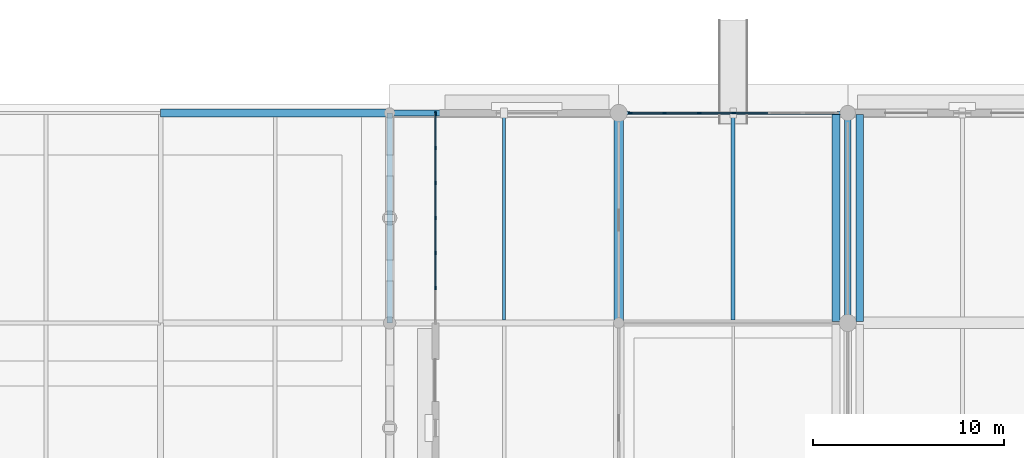
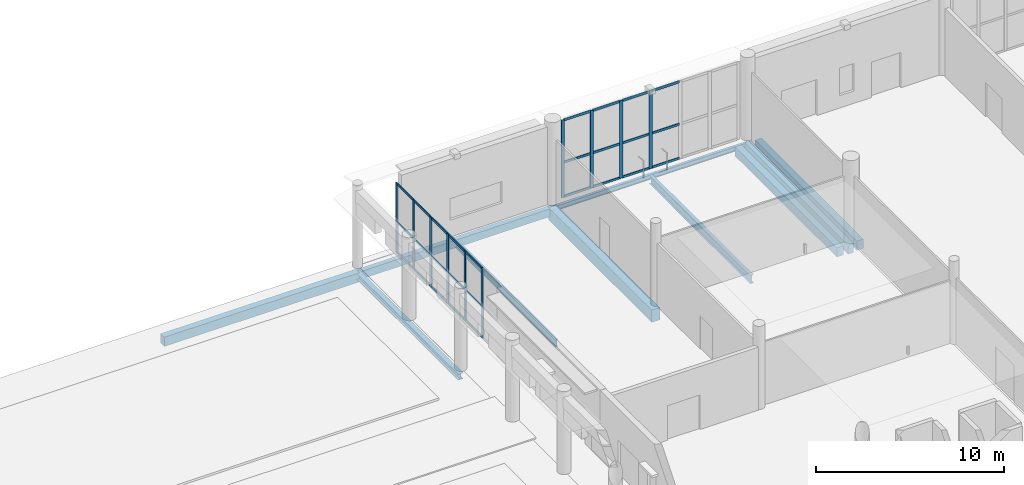
# One storey, part 40 of 120: 37 members, 10 beams, 2 elements without a shape of their own.
"""IFC4 building model written with IfcOpenShell, lengths in metres."""

from ifc_helpers import new_model, si_unit, direction, frame, origin, origin_2d, place, context, subcontext, project, spatial, rectangle, hollow_rectangle, i_section, extrude, material, material_profile, profile_set, type_object, element, aggregate, save


model = new_model("IFC4")

# Units and contexts
model_context = context("Model", 3, precision=1e-05, world=origin(), true_north=direction((0.0, 1.0)))
body_context = subcontext(model_context, "Body", "Model", "MODEL_VIEW")
ifc_project = project(units=[si_unit("LENGTHUNIT", "METRE"), si_unit("AREAUNIT", "SQUARE_METRE"), si_unit("VOLUMEUNIT", "CUBIC_METRE"), si_unit("PLANEANGLEUNIT", "RADIAN"), si_unit("MASSUNIT", "GRAM", prefix="KILO")], contexts=[model_context])

# Site, building, storey
site_placement = place(None, origin())
site = spatial("IfcSite", under=ifc_project, at=site_placement, CompositionType="ELEMENT")
building_placement = place(site_placement, origin())
building = spatial("IfcBuilding", under=site, at=building_placement, Name="Luwafu Chhajja Arena", CompositionType="ELEMENT")
storey_placement = place(building_placement, origin())
storey = spatial("IfcBuildingStorey", under=building, at=storey_placement, Name="L00", CompositionType="ELEMENT", Elevation=0.0)

# Beam
ifc_material_1 = material(Name="Concrete C35/45", Category="concrete")
ifc_material_profile_1 = material_profile(ifc_material_1, rectangle(XDim=0.35009765625, YDim=0.60009765625, at=origin_2d()), Name="RC 350x600")
ifc_profile_set_1 = profile_set([ifc_material_profile_1], Name="Concrete C35/45")
beam_type_1 = type_object("IfcBeamType", Name="Arcade Tie Beam RC 350x600", PredefinedType="BEAM", material=ifc_profile_set_1)
beam_1_placement = place(storey_placement, frame((164.0, 121.0, -0.64990234375), z_axis=(0.0, 1.0, 0.0), x_axis=(-1.0, 0.0, 0.0)))
element("IfcBeam", 1, at=beam_1_placement, inside=storey, type_object=beam_type_1, Name="L00 Grid Beam 15/M-N", PredefinedType="BEAM", context=body_context, shape_type="SweptSolid", body=[
    extrude(rectangle(XDim=0.35009765625, YDim=0.60009765625, at=origin_2d()), origin(), (0.0, 0.0, 1.0), 11.0),
])

# Curtain wall, members
ifc_material_2 = material(Name="Anodised bronze aluminium", Category="aluminium")
curtain_wall_type_1 = type_object("IfcCurtainWallType", Name="VIP Club Terrace Curtain Wall", PredefinedType="USERDEFINED", material=ifc_material_2)
curtain_wall_1_placement = place(storey_placement, origin())
curtain_wall_1 = element("IfcCurtainWall", 2, at=curtain_wall_1_placement, inside=storey, type_object=curtain_wall_type_1, Name="L00 Curtain Wall CWG-L00-V12_11", ObjectType="CURTAIN WALL", PredefinedType="USERDEFINED")
ifc_material_profile_2 = material_profile(ifc_material_2, rectangle(XDim=0.06494140625, YDim=0.199951171875, at=origin_2d()), Name="CWM 65x200")
ifc_profile_set_2 = profile_set([ifc_material_profile_2], Name="Anodised bronze aluminium")
member_type_1 = type_object("IfcMemberType", Name="Bronze Curtain Wall Mullion 65x200", PredefinedType="MULLION", material=ifc_profile_set_2)
member_1_placement = place(storey_placement, frame((142.39990234375, 122.833251953125, 0.030029296875), z_axis=(0.0, 0.0, 1.0), x_axis=(-1.0, 0.0, 0.0)))
member_1 = element("IfcMember", 3, at=member_1_placement, type_object=member_type_1, Name="CW-10 mullion 2", PredefinedType="MULLION", context=body_context, shape_type="SweptSolid", body=[
    extrude(rectangle(XDim=0.06494140625, YDim=0.199951171875, at=origin_2d()), origin(), (0.0, 0.0, 1.0), 4.52001953125),
])
member_2_placement = place(storey_placement, frame((142.39990234375, 124.666748046875, 0.030029296875), z_axis=(0.0, 0.0, 1.0), x_axis=(-1.0, 0.0, 0.0)))
member_2 = element("IfcMember", 4, at=member_2_placement, type_object=member_type_1, Name="CW-10 mullion 3", PredefinedType="MULLION", context=body_context, shape_type="SweptSolid", body=[
    extrude(rectangle(XDim=0.06494140625, YDim=0.199951171875, at=origin_2d()), origin(), (0.0, 0.0, 1.0), 4.52001953125),
])
member_3_placement = place(storey_placement, frame((142.39990234375, 126.5, 0.030029296875), z_axis=(0.0, 0.0, 1.0), x_axis=(-1.0, 0.0, 0.0)))
member_3 = element("IfcMember", 5, at=member_3_placement, type_object=member_type_1, Name="CW-10 mullion 4", PredefinedType="MULLION", context=body_context, shape_type="SweptSolid", body=[
    extrude(rectangle(XDim=0.06494140625, YDim=0.199951171875, at=origin_2d()), origin(), (0.0, 0.0, 1.0), 4.52001953125),
])
member_4_placement = place(storey_placement, frame((142.39990234375, 128.333251953125, 0.030029296875), z_axis=(0.0, 0.0, 1.0), x_axis=(-1.0, 0.0, 0.0)))
member_4 = element("IfcMember", 6, at=member_4_placement, type_object=member_type_1, Name="CW-10 mullion 5", PredefinedType="MULLION", context=body_context, shape_type="SweptSolid", body=[
    extrude(rectangle(XDim=0.06494140625, YDim=0.199951171875, at=origin_2d()), origin(), (0.0, 0.0, 1.0), 4.52001953125),
])
member_5_placement = place(storey_placement, frame((142.39990234375, 130.166748046875, 0.030029296875), z_axis=(0.0, 0.0, 1.0), x_axis=(-1.0, 0.0, 0.0)))
member_5 = element("IfcMember", 7, at=member_5_placement, type_object=member_type_1, Name="CW-10 mullion 6", PredefinedType="MULLION", context=body_context, shape_type="SweptSolid", body=[
    extrude(rectangle(XDim=0.06494140625, YDim=0.199951171875, at=origin_2d()), origin(), (0.0, 0.0, 1.0), 4.52001953125),
])
member_6_placement = place(storey_placement, frame((142.39990234375, 131.967529296875, 0.030029296875), z_axis=(0.0, 0.0, 1.0), x_axis=(-1.0, 0.0, 0.0)))
member_6 = element("IfcMember", 8, at=member_6_placement, type_object=member_type_1, Name="CW-10 mullion 7", PredefinedType="MULLION", context=body_context, shape_type="SweptSolid", body=[
    extrude(rectangle(XDim=0.06494140625, YDim=0.199951171875, at=origin_2d()), origin(), (0.0, 0.0, 1.0), 4.52001953125),
])

curtain_wall_type_2 = type_object("IfcCurtainWallType", Name="Foyer Luwafu Street Curtain Wall", PredefinedType="USERDEFINED", material=ifc_material_2)
curtain_wall_2_placement = place(storey_placement, origin())
curtain_wall_2 = element("IfcCurtainWall", 9, at=curtain_wall_2_placement, inside=storey, type_object=curtain_wall_type_2, Name="L00 Curtain Wall CWG-L00-H13_12", ObjectType="CURTAIN WALL", PredefinedType="USERDEFINED")
member_7_placement = place(storey_placement, frame((152.62255859375, 132.0, 0.030029296875), z_axis=(0.0, 0.0, 1.0), x_axis=(0.0, 1.0, 0.0)))
member_7 = element("IfcMember", 10, at=member_7_placement, type_object=member_type_1, Name="CW-05 mullion 1", PredefinedType="MULLION", context=body_context, shape_type="SweptSolid", body=[
    extrude(rectangle(XDim=0.06494140625, YDim=0.199951171875, at=origin_2d()), origin(), (0.0, 0.0, 1.0), 5.034912109375),
])
member_8_placement = place(storey_placement, frame((154.401611328125, 132.0, 0.030029296875), z_axis=(0.0, 0.0, 1.0), x_axis=(0.0, 1.0, 0.0)))
member_8 = element("IfcMember", 11, at=member_8_placement, type_object=member_type_1, Name="CW-05 mullion 2", PredefinedType="MULLION", context=body_context, shape_type="SweptSolid", body=[
    extrude(rectangle(XDim=0.06494140625, YDim=0.199951171875, at=origin_2d()), origin(), (0.0, 0.0, 1.0), 5.034912109375),
])
member_9_placement = place(storey_placement, frame((156.21337890625, 132.0, 0.030029296875), z_axis=(0.0, 0.0, 1.0), x_axis=(0.0, 1.0, 0.0)))
member_9 = element("IfcMember", 12, at=member_9_placement, type_object=member_type_1, Name="CW-05 mullion 3", PredefinedType="MULLION", context=body_context, shape_type="SweptSolid", body=[
    extrude(rectangle(XDim=0.06494140625, YDim=0.199951171875, at=origin_2d()), origin(), (0.0, 0.0, 1.0), 5.034912109375),
])
member_10_placement = place(storey_placement, frame((158.02490234375, 132.0, 0.030029296875), z_axis=(0.0, 0.0, 1.0), x_axis=(0.0, 1.0, 0.0)))
member_10 = element("IfcMember", 13, at=member_10_placement, type_object=member_type_1, Name="CW-05 mullion 4", PredefinedType="MULLION", context=body_context, shape_type="SweptSolid", body=[
    extrude(rectangle(XDim=0.06494140625, YDim=0.199951171875, at=origin_2d()), origin(), (0.0, 0.0, 1.0), 5.034912109375),
])

# Member
ifc_material_profile_3 = material_profile(ifc_material_2, rectangle(XDim=0.06494140625, YDim=0.14990234375, at=origin_2d()), Name="CWT 65x150")
ifc_profile_set_3 = profile_set([ifc_material_profile_3], Name="Anodised bronze aluminium")
member_type_2 = type_object("IfcMemberType", Name="Bronze Curtain Wall Transom 65x150", PredefinedType="USERDEFINED", material=ifc_profile_set_3)
member_11_placement = place(storey_placement, frame((142.39990234375, 122.86572265625, 0.0625), z_axis=(0.0, 1.0, 0.0), x_axis=(-1.0, 0.0, 0.0)))
member_11 = element("IfcMember", 14, at=member_11_placement, type_object=member_type_2, Name="CW-10 transom 2.1", ObjectType="TRANSOM", PredefinedType="USERDEFINED", context=body_context, shape_type="SweptSolid", body=[
    extrude(rectangle(XDim=0.06494140625, YDim=0.14990234375, at=origin_2d()), origin(), (0.0, 0.0, 1.0), 1.7685546875),
])

member_12_placement = place(storey_placement, frame((142.39990234375, 122.86572265625, 2.047607421875), z_axis=(0.0, 1.0, 0.0), x_axis=(-1.0, 0.0, 0.0)))
member_12 = element("IfcMember", 15, at=member_12_placement, type_object=member_type_2, Name="CW-10 transom 2.2", ObjectType="TRANSOM", PredefinedType="USERDEFINED", context=body_context, shape_type="SweptSolid", body=[
    extrude(rectangle(XDim=0.06494140625, YDim=0.14990234375, at=origin_2d()), origin(), (0.0, 0.0, 1.0), 1.7685546875),
])

member_13_placement = place(storey_placement, frame((142.39990234375, 122.86572265625, 4.517578125), z_axis=(0.0, 1.0, 0.0), x_axis=(-1.0, 0.0, 0.0)))
member_13 = element("IfcMember", 16, at=member_13_placement, type_object=member_type_2, Name="CW-10 transom 2.3", ObjectType="TRANSOM", PredefinedType="USERDEFINED", context=body_context, shape_type="SweptSolid", body=[
    extrude(rectangle(XDim=0.06494140625, YDim=0.14990234375, at=origin_2d()), origin(), (0.0, 0.0, 1.0), 1.7685546875),
])

member_14_placement = place(storey_placement, frame((142.39990234375, 124.69921875, 0.0625), z_axis=(0.0, 1.0, 0.0), x_axis=(-1.0, 0.0, 0.0)))
member_14 = element("IfcMember", 17, at=member_14_placement, type_object=member_type_2, Name="CW-10 transom 3.1", ObjectType="TRANSOM", PredefinedType="USERDEFINED", context=body_context, shape_type="SweptSolid", body=[
    extrude(rectangle(XDim=0.06494140625, YDim=0.14990234375, at=origin_2d()), origin(), (0.0, 0.0, 1.0), 1.768310546875),
])

member_15_placement = place(storey_placement, frame((142.39990234375, 124.69921875, 2.047607421875), z_axis=(0.0, 1.0, 0.0), x_axis=(-1.0, 0.0, 0.0)))
member_15 = element("IfcMember", 18, at=member_15_placement, type_object=member_type_2, Name="CW-10 transom 3.2", ObjectType="TRANSOM", PredefinedType="USERDEFINED", context=body_context, shape_type="SweptSolid", body=[
    extrude(rectangle(XDim=0.06494140625, YDim=0.14990234375, at=origin_2d()), origin(), (0.0, 0.0, 1.0), 1.768310546875),
])

member_16_placement = place(storey_placement, frame((142.39990234375, 124.69921875, 4.517578125), z_axis=(0.0, 1.0, 0.0), x_axis=(-1.0, 0.0, 0.0)))
member_16 = element("IfcMember", 19, at=member_16_placement, type_object=member_type_2, Name="CW-10 transom 3.3", ObjectType="TRANSOM", PredefinedType="USERDEFINED", context=body_context, shape_type="SweptSolid", body=[
    extrude(rectangle(XDim=0.06494140625, YDim=0.14990234375, at=origin_2d()), origin(), (0.0, 0.0, 1.0), 1.768310546875),
])

member_17_placement = place(storey_placement, frame((142.39990234375, 126.532470703125, 0.0625), z_axis=(0.0, 1.0, 0.0), x_axis=(-1.0, 0.0, 0.0)))
member_17 = element("IfcMember", 20, at=member_17_placement, type_object=member_type_2, Name="CW-10 transom 4.1", ObjectType="TRANSOM", PredefinedType="USERDEFINED", context=body_context, shape_type="SweptSolid", body=[
    extrude(rectangle(XDim=0.06494140625, YDim=0.14990234375, at=origin_2d()), origin(), (0.0, 0.0, 1.0), 1.768310546875),
])

member_18_placement = place(storey_placement, frame((142.39990234375, 126.532470703125, 2.047607421875), z_axis=(0.0, 1.0, 0.0), x_axis=(-1.0, 0.0, 0.0)))
member_18 = element("IfcMember", 21, at=member_18_placement, type_object=member_type_2, Name="CW-10 transom 4.2", ObjectType="TRANSOM", PredefinedType="USERDEFINED", context=body_context, shape_type="SweptSolid", body=[
    extrude(rectangle(XDim=0.06494140625, YDim=0.14990234375, at=origin_2d()), origin(), (0.0, 0.0, 1.0), 1.768310546875),
])

member_19_placement = place(storey_placement, frame((142.39990234375, 126.532470703125, 4.517578125), z_axis=(0.0, 1.0, 0.0), x_axis=(-1.0, 0.0, 0.0)))
member_19 = element("IfcMember", 22, at=member_19_placement, type_object=member_type_2, Name="CW-10 transom 4.3", ObjectType="TRANSOM", PredefinedType="USERDEFINED", context=body_context, shape_type="SweptSolid", body=[
    extrude(rectangle(XDim=0.06494140625, YDim=0.14990234375, at=origin_2d()), origin(), (0.0, 0.0, 1.0), 1.768310546875),
])

member_20_placement = place(storey_placement, frame((142.39990234375, 128.36572265625, 0.0625), z_axis=(0.0, 1.0, 0.0), x_axis=(-1.0, 0.0, 0.0)))
member_20 = element("IfcMember", 23, at=member_20_placement, type_object=member_type_2, Name="CW-10 transom 5.1", ObjectType="TRANSOM", PredefinedType="USERDEFINED", context=body_context, shape_type="SweptSolid", body=[
    extrude(rectangle(XDim=0.06494140625, YDim=0.14990234375, at=origin_2d()), origin(), (0.0, 0.0, 1.0), 1.7685546875),
])

member_21_placement = place(storey_placement, frame((142.39990234375, 128.36572265625, 2.047607421875), z_axis=(0.0, 1.0, 0.0), x_axis=(-1.0, 0.0, 0.0)))
member_21 = element("IfcMember", 24, at=member_21_placement, type_object=member_type_2, Name="CW-10 transom 5.2", ObjectType="TRANSOM", PredefinedType="USERDEFINED", context=body_context, shape_type="SweptSolid", body=[
    extrude(rectangle(XDim=0.06494140625, YDim=0.14990234375, at=origin_2d()), origin(), (0.0, 0.0, 1.0), 1.7685546875),
])

member_22_placement = place(storey_placement, frame((142.39990234375, 128.36572265625, 4.517578125), z_axis=(0.0, 1.0, 0.0), x_axis=(-1.0, 0.0, 0.0)))
member_22 = element("IfcMember", 25, at=member_22_placement, type_object=member_type_2, Name="CW-10 transom 5.3", ObjectType="TRANSOM", PredefinedType="USERDEFINED", context=body_context, shape_type="SweptSolid", body=[
    extrude(rectangle(XDim=0.06494140625, YDim=0.14990234375, at=origin_2d()), origin(), (0.0, 0.0, 1.0), 1.7685546875),
])

member_23_placement = place(storey_placement, frame((142.39990234375, 130.19921875, 0.0625), z_axis=(0.0, 1.0, 0.0), x_axis=(-1.0, 0.0, 0.0)))
member_23 = element("IfcMember", 26, at=member_23_placement, type_object=member_type_2, Name="CW-10 transom 6.1", ObjectType="TRANSOM", PredefinedType="USERDEFINED", context=body_context, shape_type="SweptSolid", body=[
    extrude(rectangle(XDim=0.06494140625, YDim=0.14990234375, at=origin_2d()), origin(), (0.0, 0.0, 1.0), 1.73583984375),
])

member_24_placement = place(storey_placement, frame((142.39990234375, 130.19921875, 2.047607421875), z_axis=(0.0, 1.0, 0.0), x_axis=(-1.0, 0.0, 0.0)))
member_24 = element("IfcMember", 27, at=member_24_placement, type_object=member_type_2, Name="CW-10 transom 6.2", ObjectType="TRANSOM", PredefinedType="USERDEFINED", context=body_context, shape_type="SweptSolid", body=[
    extrude(rectangle(XDim=0.06494140625, YDim=0.14990234375, at=origin_2d()), origin(), (0.0, 0.0, 1.0), 1.73583984375),
])

member_25_placement = place(storey_placement, frame((142.39990234375, 130.19921875, 4.517578125), z_axis=(0.0, 1.0, 0.0), x_axis=(-1.0, 0.0, 0.0)))
member_25 = element("IfcMember", 28, at=member_25_placement, type_object=member_type_2, Name="CW-10 transom 6.3", ObjectType="TRANSOM", PredefinedType="USERDEFINED", context=body_context, shape_type="SweptSolid", body=[
    extrude(rectangle(XDim=0.06494140625, YDim=0.14990234375, at=origin_2d()), origin(), (0.0, 0.0, 1.0), 1.73583984375),
])

aggregate(curtain_wall_1, [member_1, member_2, member_3, member_4, member_5, member_6, member_11, member_12, member_13, member_14, member_15, member_16, member_17, member_18, member_19, member_20, member_21, member_22, member_23, member_24, member_25])

member_26_placement = place(storey_placement, frame((152.655029296875, 132.0, 0.0625), z_axis=(1.0, 0.0, 0.0), x_axis=(0.0, 1.0, 0.0)))
member_26 = element("IfcMember", 29, at=member_26_placement, type_object=member_type_2, Name="CW-05 transom 1.1", ObjectType="TRANSOM", PredefinedType="USERDEFINED", context=body_context, shape_type="SweptSolid", body=[
    extrude(rectangle(XDim=0.06494140625, YDim=0.14990234375, at=origin_2d()), origin(), (0.0, 0.0, 1.0), 1.714111328125),
])

member_27_placement = place(storey_placement, frame((152.655029296875, 132.0, 2.279296875), z_axis=(1.0, 0.0, 0.0), x_axis=(0.0, 1.0, 0.0)))
member_27 = element("IfcMember", 30, at=member_27_placement, type_object=member_type_2, Name="CW-05 transom 1.2", ObjectType="TRANSOM", PredefinedType="USERDEFINED", context=body_context, shape_type="SweptSolid", body=[
    extrude(rectangle(XDim=0.06494140625, YDim=0.14990234375, at=origin_2d()), origin(), (0.0, 0.0, 1.0), 1.714111328125),
])

member_28_placement = place(storey_placement, frame((152.655029296875, 132.0, 5.032470703125), z_axis=(1.0, 0.0, 0.0), x_axis=(0.0, 1.0, 0.0)))
member_28 = element("IfcMember", 31, at=member_28_placement, type_object=member_type_2, Name="CW-05 transom 1.3", ObjectType="TRANSOM", PredefinedType="USERDEFINED", context=body_context, shape_type="SweptSolid", body=[
    extrude(rectangle(XDim=0.06494140625, YDim=0.14990234375, at=origin_2d()), origin(), (0.0, 0.0, 1.0), 1.714111328125),
])

member_29_placement = place(storey_placement, frame((154.43408203125, 132.0, 0.0625), z_axis=(1.0, 0.0, 0.0), x_axis=(0.0, 1.0, 0.0)))
member_29 = element("IfcMember", 32, at=member_29_placement, type_object=member_type_2, Name="CW-05 transom 2.1", ObjectType="TRANSOM", PredefinedType="USERDEFINED", context=body_context, shape_type="SweptSolid", body=[
    extrude(rectangle(XDim=0.06494140625, YDim=0.14990234375, at=origin_2d()), origin(), (0.0, 0.0, 1.0), 1.746826171875),
])

member_30_placement = place(storey_placement, frame((154.43408203125, 132.0, 2.279296875), z_axis=(1.0, 0.0, 0.0), x_axis=(0.0, 1.0, 0.0)))
member_30 = element("IfcMember", 33, at=member_30_placement, type_object=member_type_2, Name="CW-05 transom 2.2", ObjectType="TRANSOM", PredefinedType="USERDEFINED", context=body_context, shape_type="SweptSolid", body=[
    extrude(rectangle(XDim=0.06494140625, YDim=0.14990234375, at=origin_2d()), origin(), (0.0, 0.0, 1.0), 1.746826171875),
])

member_31_placement = place(storey_placement, frame((154.43408203125, 132.0, 5.032470703125), z_axis=(1.0, 0.0, 0.0), x_axis=(0.0, 1.0, 0.0)))
member_31 = element("IfcMember", 34, at=member_31_placement, type_object=member_type_2, Name="CW-05 transom 2.3", ObjectType="TRANSOM", PredefinedType="USERDEFINED", context=body_context, shape_type="SweptSolid", body=[
    extrude(rectangle(XDim=0.06494140625, YDim=0.14990234375, at=origin_2d()), origin(), (0.0, 0.0, 1.0), 1.746826171875),
])

member_32_placement = place(storey_placement, frame((156.245849609375, 132.0, 0.0625), z_axis=(1.0, 0.0, 0.0), x_axis=(0.0, 1.0, 0.0)))
member_32 = element("IfcMember", 35, at=member_32_placement, type_object=member_type_2, Name="CW-05 transom 3.1", ObjectType="TRANSOM", PredefinedType="USERDEFINED", context=body_context, shape_type="SweptSolid", body=[
    extrude(rectangle(XDim=0.06494140625, YDim=0.14990234375, at=origin_2d()), origin(), (0.0, 0.0, 1.0), 1.74658203125),
])

member_33_placement = place(storey_placement, frame((156.245849609375, 132.0, 2.279296875), z_axis=(1.0, 0.0, 0.0), x_axis=(0.0, 1.0, 0.0)))
member_33 = element("IfcMember", 36, at=member_33_placement, type_object=member_type_2, Name="CW-05 transom 3.2", ObjectType="TRANSOM", PredefinedType="USERDEFINED", context=body_context, shape_type="SweptSolid", body=[
    extrude(rectangle(XDim=0.06494140625, YDim=0.14990234375, at=origin_2d()), origin(), (0.0, 0.0, 1.0), 1.74658203125),
])

member_34_placement = place(storey_placement, frame((156.245849609375, 132.0, 5.032470703125), z_axis=(1.0, 0.0, 0.0), x_axis=(0.0, 1.0, 0.0)))
member_34 = element("IfcMember", 37, at=member_34_placement, type_object=member_type_2, Name="CW-05 transom 3.3", ObjectType="TRANSOM", PredefinedType="USERDEFINED", context=body_context, shape_type="SweptSolid", body=[
    extrude(rectangle(XDim=0.06494140625, YDim=0.14990234375, at=origin_2d()), origin(), (0.0, 0.0, 1.0), 1.74658203125),
])

member_35_placement = place(storey_placement, frame((158.0576171875, 132.0, 0.0625), z_axis=(1.0, 0.0, 0.0), x_axis=(0.0, 1.0, 0.0)))
member_35 = element("IfcMember", 38, at=member_35_placement, type_object=member_type_2, Name="CW-05 transom 4.1", ObjectType="TRANSOM", PredefinedType="USERDEFINED", context=body_context, shape_type="SweptSolid", body=[
    extrude(rectangle(XDim=0.06494140625, YDim=0.14990234375, at=origin_2d()), origin(), (0.0, 0.0, 1.0), 1.74658203125),
])

member_36_placement = place(storey_placement, frame((158.0576171875, 132.0, 2.279296875), z_axis=(1.0, 0.0, 0.0), x_axis=(0.0, 1.0, 0.0)))
member_36 = element("IfcMember", 39, at=member_36_placement, type_object=member_type_2, Name="CW-05 transom 4.2", ObjectType="TRANSOM", PredefinedType="USERDEFINED", context=body_context, shape_type="SweptSolid", body=[
    extrude(rectangle(XDim=0.06494140625, YDim=0.14990234375, at=origin_2d()), origin(), (0.0, 0.0, 1.0), 1.74658203125),
])

member_37_placement = place(storey_placement, frame((158.0576171875, 132.0, 5.032470703125), z_axis=(1.0, 0.0, 0.0), x_axis=(0.0, 1.0, 0.0)))
member_37 = element("IfcMember", 40, at=member_37_placement, type_object=member_type_2, Name="CW-05 transom 4.3", ObjectType="TRANSOM", PredefinedType="USERDEFINED", context=body_context, shape_type="SweptSolid", body=[
    extrude(rectangle(XDim=0.06494140625, YDim=0.14990234375, at=origin_2d()), origin(), (0.0, 0.0, 1.0), 1.74658203125),
])

aggregate(curtain_wall_2, [member_7, member_8, member_9, member_10, member_26, member_27, member_28, member_29, member_30, member_31, member_32, member_33, member_34, member_35, member_36, member_37])

# Beams
ifc_material_3 = material(Name="Steel S355", Category="steel")
ifc_material_profile_4 = material_profile(ifc_material_3, i_section(OverallWidth=0.165771484375, OverallDepth=0.306640625, WebThickness=0.006591796875, FlangeThickness=0.01171875, at=origin_2d()), Name="UB 305x165x46")
ifc_profile_set_4 = profile_set([ifc_material_profile_4], Name="Steel S355")
beam_type_2 = type_object("IfcBeamType", Name="Concourse Edge Spandrel Beam UB 305x165x46", PredefinedType="SPANDREL", material=ifc_profile_set_4)
beam_2_placement = place(storey_placement, frame((152.0, 132.0, -0.50341796875), z_axis=(1.0, 0.0, 0.0), x_axis=(0.0, 1.0, 0.0)))
element("IfcBeam", 41, at=beam_2_placement, inside=storey, type_object=beam_type_2, Name="L00 Grid Beam 14-15/N", PredefinedType="SPANDREL", context=body_context, shape_type="SweptSolid", body=[
    extrude(i_section(OverallWidth=0.165771484375, OverallDepth=0.306640625, WebThickness=0.006591796875, FlangeThickness=0.01171875, at=origin_2d()), origin(), (0.0, 0.0, 1.0), 12.0),
])
ifc_material_profile_5 = material_profile(ifc_material_3, i_section(OverallWidth=0.15283203125, OverallDepth=0.45458984375, WebThickness=0.008056640625, FlangeThickness=0.01318359375, at=origin_2d()), Name="UB 457x152x60")
ifc_profile_set_5 = profile_set([ifc_material_profile_5], Name="Steel S355")
beam_type_3 = type_object("IfcBeamType", Name="Floor Joist UB 457x152x60", PredefinedType="JOIST", material=ifc_profile_set_5)
beam_3_placement = place(storey_placement, frame((146.0, 121.14990234375, -0.577392578125), z_axis=(0.0, 1.0, 0.0), x_axis=(-1.0, 0.0, 0.0)))
element("IfcBeam", 42, at=beam_3_placement, inside=storey, type_object=beam_type_3, Name="L00 Secondary Joist 13-14/M", PredefinedType="JOIST", context=body_context, shape_type="SweptSolid", body=[
    extrude(i_section(OverallWidth=0.15283203125, OverallDepth=0.45458984375, WebThickness=0.008056640625, FlangeThickness=0.01318359375, at=origin_2d()), origin(), (0.0, 0.0, 1.0), 10.7001953125),
])
ifc_material_profile_6 = material_profile(ifc_material_3, i_section(OverallWidth=0.2099609375, OverallDepth=0.53662109375, WebThickness=0.0107421875, FlangeThickness=0.017333984375, at=origin_2d()), Name="UB 533x210x101")
ifc_profile_set_6 = profile_set([ifc_material_profile_6], Name="Steel S355")
beam_type_4 = type_object("IfcBeamType", Name="Floor Joist UB 533x210x101", PredefinedType="JOIST", material=ifc_profile_set_6)
beam_4_placement = place(storey_placement, frame((158.0, 121.14990234375, -0.618408203125), z_axis=(0.0, 1.0, 0.0), x_axis=(-1.0, 0.0, 0.0)))
element("IfcBeam", 43, at=beam_4_placement, inside=storey, type_object=beam_type_4, Name="L00 Secondary Joist 14-15/M", PredefinedType="JOIST", context=body_context, shape_type="SweptSolid", body=[
    extrude(i_section(OverallWidth=0.2099609375, OverallDepth=0.53662109375, WebThickness=0.0107421875, FlangeThickness=0.017333984375, at=origin_2d()), origin(), (0.0, 0.0, 1.0), 10.76708984375),
])
ifc_material_profile_7 = material_profile(ifc_material_1, rectangle(XDim=0.5, YDim=0.800048828125, at=origin_2d()), Name="RC 500x800")
ifc_profile_set_7 = profile_set([ifc_material_profile_7], Name="Concrete C35/45")
beam_type_5 = type_object("IfcBeamType", Name="Hospitality Primary Beam RC 500x800", PredefinedType="BEAM", material=ifc_profile_set_7)
beam_5_placement = place(storey_placement, frame((152.0, 121.0, -0.75), z_axis=(0.0, 1.0, 0.0), x_axis=(-1.0, 0.0, 0.0)))
element("IfcBeam", 44, at=beam_5_placement, inside=storey, type_object=beam_type_5, Name="L00 Grid Beam 14/M-N", PredefinedType="BEAM", context=body_context, shape_type="SweptSolid", body=[
    extrude(rectangle(XDim=0.5, YDim=0.800048828125, at=origin_2d()), origin(), (0.0, 0.0, 1.0), 11.0),
])
ifc_material_profile_8 = material_profile(ifc_material_3, hollow_rectangle(XDim=0.300048828125, YDim=0.5, WallThickness=0.02001953125, at=origin_2d()), Name="RHS 500x300x20")
ifc_profile_set_8 = profile_set([ifc_material_profile_8], Name="Steel S355")
beam_type_6 = type_object("IfcBeamType", Name="Pleated Drum Spandrel Beam RHS 500x300", PredefinedType="SPANDREL", material=ifc_profile_set_8)
beam_6_placement = place(storey_placement, frame((140.0, 132.0, -0.60009765625), z_axis=(1.0, 0.0, 0.0), x_axis=(0.0, 1.0, 0.0)))
element("IfcBeam", 45, at=beam_6_placement, inside=storey, type_object=beam_type_6, Name="L00 Grid Beam 13-14/N", PredefinedType="SPANDREL", context=body_context, shape_type="SweptSolid", body=[
    extrude(hollow_rectangle(XDim=0.300048828125, YDim=0.5, WallThickness=0.02001953125, at=origin_2d()), origin(), (0.0, 0.0, 1.0), 12.0),
])
ifc_material_profile_9 = material_profile(ifc_material_1, rectangle(XDim=0.39990234375, YDim=0.60009765625, at=origin_2d()), Name="RC 400x600")
ifc_profile_set_9 = profile_set([ifc_material_profile_9], Name="Concrete C35/45")
beam_type_7 = type_object("IfcBeamType", Name="Podium Perimeter Spandrel RC 400x600", PredefinedType="SPANDREL", material=ifc_profile_set_9)
beam_7_placement = place(storey_placement, frame((128.0, 132.0, -0.64990234375), z_axis=(1.0, 0.0, 0.0), x_axis=(0.0, 1.0, 0.0)))
element("IfcBeam", 46, at=beam_7_placement, inside=storey, type_object=beam_type_7, Name="L00 Grid Beam 12-13/N", PredefinedType="SPANDREL", context=body_context, shape_type="SweptSolid", body=[
    extrude(rectangle(XDim=0.39990234375, YDim=0.60009765625, at=origin_2d()), origin(), (0.0, 0.0, 1.0), 12.0),
])
for number, where, z_axis, x_axis, name in (
    (47, (163.3798828125, 121.080078125, -0.64990234375), (0.0, 1.0, 0.0), (-1.0, 0.0, 0.0), "L00 Movement Joint MJ2W Seat Girder 11"),
    (48, (164.6201171875, 121.080078125, -0.64990234375), (0.0, 1.0, 0.0), (-1.0, 0.0, 0.0), "L00 Movement Joint MJ2E Seat Girder 11"),
):
    element("IfcBeam", number, at=place(storey_placement, frame(where, z_axis=z_axis, x_axis=x_axis)), inside=storey, type_object=beam_type_7, Name=name, PredefinedType="SPANDREL", context=body_context, shape_type="SweptSolid", body=[
        extrude(rectangle(XDim=0.39990234375, YDim=0.60009765625, at=origin_2d()), origin(), (0.0, 0.0, 1.0), 10.83984375),
    ])
ifc_material_profile_10 = material_profile(ifc_material_3, i_section(OverallWidth=0.300048828125, OverallDepth=0.39990234375, WebThickness=0.013427734375, FlangeThickness=0.02392578125, at=origin_2d()), Name="HEB 400")
ifc_profile_set_10 = profile_set([ifc_material_profile_10], Name="Steel S355")
beam_type_8 = type_object("IfcBeamType", Name="Steel Rigging Grid Beam HEB 400", PredefinedType="BEAM", material=ifc_profile_set_10)
beam_8_placement = place(storey_placement, frame((140.0, 121.0, -0.550048828125), z_axis=(0.0, 1.0, 0.0), x_axis=(-1.0, 0.0, 0.0)))
element("IfcBeam", 49, at=beam_8_placement, inside=storey, type_object=beam_type_8, Name="L00 Grid Beam 13/M-N", PredefinedType="BEAM", context=body_context, shape_type="SweptSolid", body=[
    extrude(i_section(OverallWidth=0.300048828125, OverallDepth=0.39990234375, WebThickness=0.013427734375, FlangeThickness=0.02392578125, at=origin_2d()), origin(), (0.0, 0.0, 1.0), 11.0),
])

save(model, "model.ifc")
